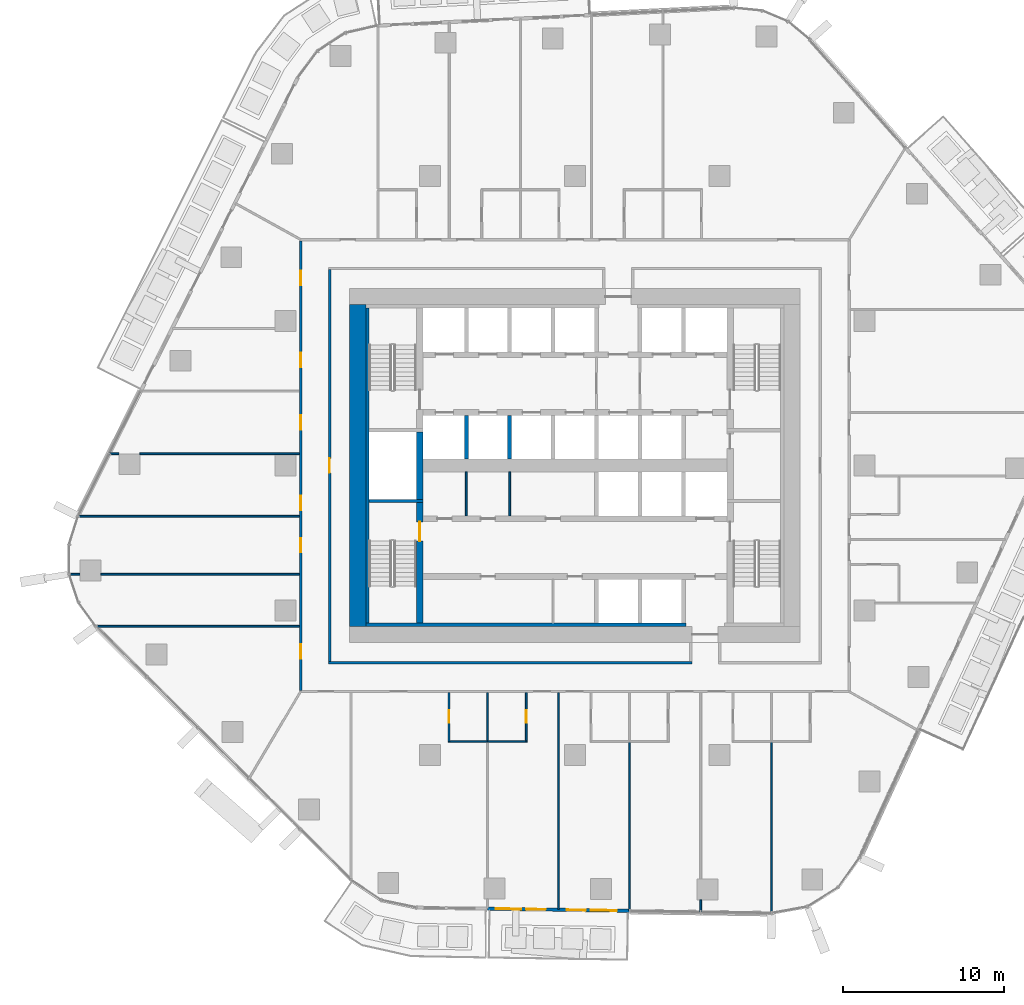
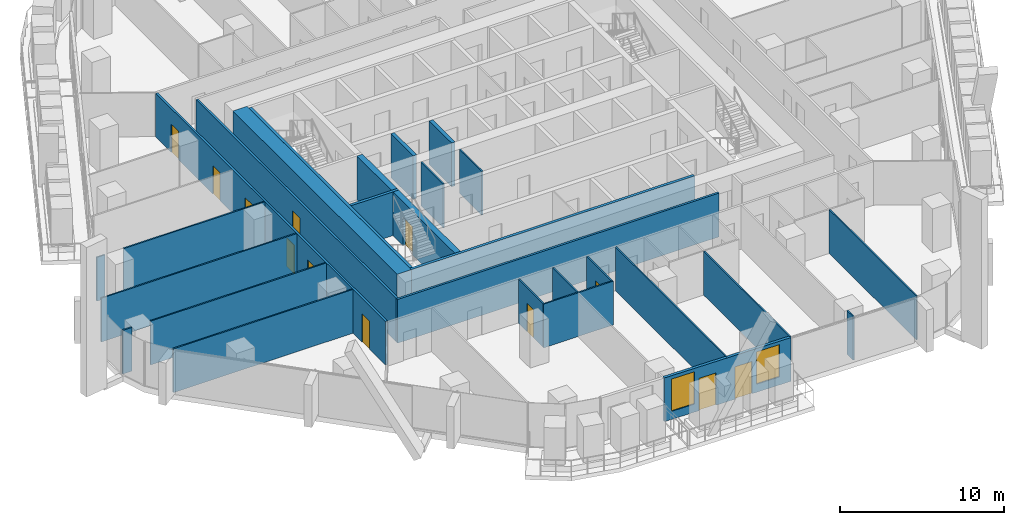
# One storey, part 13 of 26: 28 walls, 12 doors, 2 windows, 14 openings.
"""IFC4 building model written with IfcOpenShell, lengths in metres."""

from ifc_helpers import new_model, si_unit, direction, frame, frame_2d, origin, place, context, subcontext, project, spatial, rectangle, extrude, material, layer, layer_set, type_object, element, fill, save


model = new_model("IFC4")

# Units and contexts
model_context = context("Model", 3, precision=1e-05, world=origin(), true_north=direction((0.0, 1.0)))
body_context = subcontext(model_context, "Body", "Model", "MODEL_VIEW")
ifc_project = project(units=[si_unit("LENGTHUNIT", "METRE"), si_unit("AREAUNIT", "SQUARE_METRE"), si_unit("VOLUMEUNIT", "CUBIC_METRE"), si_unit("PLANEANGLEUNIT", "RADIAN"), si_unit("MASSUNIT", "GRAM", prefix="KILO")], contexts=[model_context])

# Site, building, storey
site_placement = place(None, origin())
site = spatial("IfcSite", under=ifc_project, at=site_placement, CompositionType="ELEMENT")
building_placement = place(site_placement, origin())
building = spatial("IfcBuilding", under=site, at=building_placement, Name="Dongbaek Canopy Tower", CompositionType="ELEMENT")
storey_placement = place(building_placement, frame((0.0, 0.0, 95.199951171875)))
storey = spatial("IfcBuildingStorey", under=building, at=storey_placement, Name="L19", CompositionType="ELEMENT", Elevation=95.199951171875)

# Walls
ifc_material_1 = material(Name="Concrete C60/75", Category="concrete")
ifc_layer_1 = layer(ifc_material_1, 1.0)
ifc_layer_set_1 = layer_set([ifc_layer_1], Name="Core outer wall 1000 Concrete C60/75")
wall_type_1 = type_object("IfcWallType", Name="Core outer wall 1000 Concrete C60/75", PredefinedType="SHEAR", material=ifc_layer_set_1)
wall_1_placement = place(storey_placement, frame((-13.5, -10.0, 0.0), z_axis=(0.0, 0.0, 1.0), x_axis=(0.0, 1.0, 0.0)))
element("IfcWall", 1, at=wall_1_placement, inside=storey, type_object=wall_type_1, Name="Core wall", PredefinedType="SHEAR", context=body_context, shape_type="SweptSolid", body=[
    extrude(rectangle(XDim=20.0, YDim=1.0, at=frame_2d((10.0, 0.0))), origin(), (0.0, 0.0, 1.0), 3.25),
])
ifc_material_2 = material(Name="Concrete C60/75", Category="concrete")
ifc_layer_2 = layer(ifc_material_2, 0.199951171875)
ifc_layer_set_2 = layer_set([ifc_layer_2], Name="Core wall lining 200 Concrete C60/75")
wall_type_2 = type_object("IfcWallType", Name="Core wall lining 200 Concrete C60/75", PredefinedType="SHEAR", material=ifc_layer_set_2)
wall_2_placement = place(storey_placement, frame((6.89990234375, -9.89990234375, 0.0), z_axis=(0.0, 0.0, 1.0), x_axis=(-1.0, 0.0, 0.0)))
element("IfcWall", 2, at=wall_2_placement, inside=storey, type_object=wall_type_2, Name="Core wall lining", PredefinedType="SHEAR", context=body_context, shape_type="SweptSolid", body=[
    extrude(rectangle(XDim=19.89990234375, YDim=0.199951171875, at=frame_2d((9.949951171875, 0.0))), origin(), (0.0, 0.0, 1.0), 3.25),
])
wall_3_placement = place(storey_placement, frame((-12.89990234375, -9.800048828125, 0.0), z_axis=(0.0, 0.0, 1.0), x_axis=(0.0, 1.0, 0.0)))
element("IfcWall", 3, at=wall_3_placement, inside=storey, type_object=wall_type_2, Name="Core wall lining", PredefinedType="SHEAR", context=body_context, shape_type="SweptSolid", body=[
    extrude(rectangle(XDim=19.60009765625, YDim=0.199951171875, at=frame_2d((9.800048828125, 0.0))), origin(), (0.0, 0.0, 1.0), 3.25),
])
ifc_material_3 = material(Name="Gypsum board partition, steel stud, 2 x 15 mm fire board", Category="steel")
ifc_layer_3 = layer(ifc_material_3, 0.14990234375)
ifc_layer_set_3 = layer_set([ifc_layer_3], Name="Fire-rated partition 150 gypsum board")
wall_type_3 = type_object("IfcWallType", Name="Fire-rated partition 150 gypsum board", PredefinedType="PARTITIONING", material=ifc_layer_set_3)
wall_4_placement = place(storey_placement, frame((-15.324951171875, -12.25, 0.0), z_axis=(0.0, 0.0, 1.0), x_axis=(1.0, 0.0, 0.0)))
element("IfcWall", 4, at=wall_4_placement, inside=storey, type_object=wall_type_3, Name="Corridor partition", PredefinedType="PARTITIONING", context=body_context, shape_type="SweptSolid", body=[
    extrude(rectangle(XDim=22.599853515625, YDim=0.14990234375, at=frame_2d((11.2998046875, 0.0))), origin(), (0.0, 0.0, 1.0), 3.25),
])

# Wall, opening, door
wall_5_placement = place(storey_placement, frame((-15.25, 12.175048828125, 0.0), z_axis=(0.0, 0.0, 1.0), x_axis=(0.0, -1.0, 0.0)))
wall_5 = element("IfcWall", 5, at=wall_5_placement, inside=storey, type_object=wall_type_3, Name="Corridor partition", PredefinedType="PARTITIONING", context=body_context, shape_type="SweptSolid", body=[
    extrude(rectangle(XDim=24.35009765625, YDim=0.14990234375, at=frame_2d((12.175048828125, 0.0))), origin(), (0.0, 0.0, 1.0), 3.25),
])
opening_1_placement = place(wall_5_placement, frame((11.72509765625, 0.0, 0.0)))
opening_1 = element("IfcOpeningElement", 6, at=opening_1_placement, cuts=wall_5, Name="Opening L19-D039", PredefinedType="OPENING", context=body_context, shape_type="SweptSolid", body=[
    extrude(rectangle(XDim=0.89990234375, YDim=2.10009765625, at=frame_2d((0.449951171875, 1.050048828125))), frame((0.0, 0.0849609375, 0.0), z_axis=(0.0, -1.0, 0.0), x_axis=(1.0, 0.0, 0.0)), (0.0, 0.0, 1.0), 0.169921875),
])
ifc_material_4 = material(Name="Timber veneered door leaf", Category="wood")
door_type_1 = type_object("IfcDoorType", Name="Room door 900 x 2100", OperationType="SINGLE_SWING_LEFT", PredefinedType="DOOR", material=ifc_material_4)
door_1_placement = place(opening_1_placement, origin())
door_1 = element("IfcDoor", 7, at=door_1_placement, inside=storey, type_object=door_type_1, Name="Door L19-D039", OperationType="SINGLE_SWING_RIGHT", OverallHeight=2.10009765625, OverallWidth=0.89990234375, PredefinedType="DOOR", context=body_context, shape_type="SweptSolid", body=[
    extrude(rectangle(XDim=0.89990234375, YDim=2.10009765625, at=frame_2d((0.449951171875, 1.050048828125))), frame((0.0, 0.02490234375, 0.0), z_axis=(0.0, -1.0, 0.0), x_axis=(1.0, 0.0, 0.0)), (0.0, 0.0, 1.0), 0.050048828125),
])
fill(opening_1, door_1)

# Wall, openings, doors
wall_6_placement = place(storey_placement, frame((-17.050048828125, -13.97509765625, 0.0), z_axis=(0.0, 0.0, 1.0), x_axis=(0.0, 1.0, 0.0)))
wall_6 = element("IfcWall", 8, at=wall_6_placement, inside=storey, type_object=wall_type_3, Name="Corridor partition", PredefinedType="PARTITIONING", context=body_context, shape_type="SweptSolid", body=[
    extrude(rectangle(XDim=27.9501953125, YDim=0.14990234375, at=frame_2d((13.97509765625, 0.0))), origin(), (0.0, 0.0, 1.0), 3.25),
])
opening_2_placement = place(wall_6_placement, frame((11.194580078125, 0.0, 0.0)))
opening_2 = element("IfcOpeningElement", 9, at=opening_2_placement, cuts=wall_6, Name="Opening L19-D001", PredefinedType="OPENING", context=body_context, shape_type="SweptSolid", body=[
    extrude(rectangle(XDim=0.89990234375, YDim=2.10009765625, at=frame_2d((0.449951171875, 1.050048828125))), frame((0.0, 0.0849609375, 0.0), z_axis=(0.0, -1.0, 0.0), x_axis=(1.0, 0.0, 0.0)), (0.0, 0.0, 1.0), 0.169921875),
])
opening_3_placement = place(wall_6_placement, frame((8.56982421875, 0.0, 0.0)))
opening_3 = element("IfcOpeningElement", 10, at=opening_3_placement, cuts=wall_6, Name="Opening L19-D002", PredefinedType="OPENING", context=body_context, shape_type="SweptSolid", body=[
    extrude(rectangle(XDim=0.89990234375, YDim=2.10009765625, at=frame_2d((0.449951171875, 1.050048828125))), frame((0.0, 0.0849609375, 0.0), z_axis=(0.0, -1.0, 0.0), x_axis=(1.0, 0.0, 0.0)), (0.0, 0.0, 1.0), 0.169921875),
])
opening_4_placement = place(wall_6_placement, frame((1.9560546875, 0.0, 0.0)))
opening_4 = element("IfcOpeningElement", 11, at=opening_4_placement, cuts=wall_6, Name="Opening L19-D003", PredefinedType="OPENING", context=body_context, shape_type="SweptSolid", body=[
    extrude(rectangle(XDim=0.89990234375, YDim=2.10009765625, at=frame_2d((0.449951171875, 1.050048828125))), frame((0.0, 0.0849609375, 0.0), z_axis=(0.0, -1.0, 0.0), x_axis=(1.0, 0.0, 0.0)), (0.0, 0.0, 1.0), 0.169921875),
])
opening_5_placement = place(wall_6_placement, frame((25.180908203125, 0.0, 0.0)))
opening_5 = element("IfcOpeningElement", 12, at=opening_5_placement, cuts=wall_6, Name="Opening L19-D036", PredefinedType="OPENING", context=body_context, shape_type="SweptSolid", body=[
    extrude(rectangle(XDim=0.89990234375, YDim=2.10009765625, at=frame_2d((0.449951171875, 1.050048828125))), frame((0.0, 0.0849609375, 0.0), z_axis=(0.0, -1.0, 0.0), x_axis=(1.0, 0.0, 0.0)), (0.0, 0.0, 1.0), 0.169921875),
])
opening_6_placement = place(wall_6_placement, frame((20.100830078125, 0.0, 0.0)))
opening_6 = element("IfcOpeningElement", 13, at=opening_6_placement, cuts=wall_6, Name="Opening L19-D037", PredefinedType="OPENING", context=body_context, shape_type="SweptSolid", body=[
    extrude(rectangle(XDim=0.89990234375, YDim=2.10009765625, at=frame_2d((0.449951171875, 1.050048828125))), frame((0.0, 0.0849609375, 0.0), z_axis=(0.0, -1.0, 0.0), x_axis=(1.0, 0.0, 0.0)), (0.0, 0.0, 1.0), 0.169921875),
])
opening_7_placement = place(wall_6_placement, frame((16.205810546875, 0.0, 0.0)))
opening_7 = element("IfcOpeningElement", 14, at=opening_7_placement, cuts=wall_6, Name="Opening L19-D038", PredefinedType="OPENING", context=body_context, shape_type="SweptSolid", body=[
    extrude(rectangle(XDim=0.89990234375, YDim=2.10009765625, at=frame_2d((0.449951171875, 1.050048828125))), frame((0.0, 0.0849609375, 0.0), z_axis=(0.0, -1.0, 0.0), x_axis=(1.0, 0.0, 0.0)), (0.0, 0.0, 1.0), 0.169921875),
])
door_2_placement = place(opening_2_placement, origin())
door_2 = element("IfcDoor", 15, at=door_2_placement, inside=storey, type_object=door_type_1, Name="Door L19-D001", OperationType="SINGLE_SWING_RIGHT", OverallHeight=2.10009765625, OverallWidth=0.89990234375, PredefinedType="DOOR", context=body_context, shape_type="SweptSolid", body=[
    extrude(rectangle(XDim=0.89990234375, YDim=2.10009765625, at=frame_2d((0.449951171875, 1.050048828125))), frame((0.0, 0.02490234375, 0.0), z_axis=(0.0, -1.0, 0.0), x_axis=(1.0, 0.0, 0.0)), (0.0, 0.0, 1.0), 0.050048828125),
])
fill(opening_2, door_2)
door_3_placement = place(opening_3_placement, origin())
door_3 = element("IfcDoor", 16, at=door_3_placement, inside=storey, type_object=door_type_1, Name="Door L19-D002", OperationType="SINGLE_SWING_LEFT", OverallHeight=2.10009765625, OverallWidth=0.89990234375, PredefinedType="DOOR", context=body_context, shape_type="SweptSolid", body=[
    extrude(rectangle(XDim=0.89990234375, YDim=2.10009765625, at=frame_2d((0.449951171875, 1.050048828125))), frame((0.0, 0.02490234375, 0.0), z_axis=(0.0, -1.0, 0.0), x_axis=(1.0, 0.0, 0.0)), (0.0, 0.0, 1.0), 0.050048828125),
])
fill(opening_3, door_3)
door_4_placement = place(opening_4_placement, origin())
door_4 = element("IfcDoor", 17, at=door_4_placement, inside=storey, type_object=door_type_1, Name="Door L19-D003", OperationType="SINGLE_SWING_LEFT", OverallHeight=2.10009765625, OverallWidth=0.89990234375, PredefinedType="DOOR", context=body_context, shape_type="SweptSolid", body=[
    extrude(rectangle(XDim=0.89990234375, YDim=2.10009765625, at=frame_2d((0.449951171875, 1.050048828125))), frame((0.0, 0.02490234375, 0.0), z_axis=(0.0, -1.0, 0.0), x_axis=(1.0, 0.0, 0.0)), (0.0, 0.0, 1.0), 0.050048828125),
])
fill(opening_4, door_4)
door_5_placement = place(opening_5_placement, origin())
door_5 = element("IfcDoor", 18, at=door_5_placement, inside=storey, type_object=door_type_1, Name="Door L19-D036", OperationType="SINGLE_SWING_LEFT", OverallHeight=2.10009765625, OverallWidth=0.89990234375, PredefinedType="DOOR", context=body_context, shape_type="SweptSolid", body=[
    extrude(rectangle(XDim=0.89990234375, YDim=2.10009765625, at=frame_2d((0.449951171875, 1.050048828125))), frame((0.0, 0.02490234375, 0.0), z_axis=(0.0, -1.0, 0.0), x_axis=(1.0, 0.0, 0.0)), (0.0, 0.0, 1.0), 0.050048828125),
])
fill(opening_5, door_5)
door_6_placement = place(opening_6_placement, origin())
door_6 = element("IfcDoor", 19, at=door_6_placement, inside=storey, type_object=door_type_1, Name="Door L19-D037", OperationType="SINGLE_SWING_RIGHT", OverallHeight=2.10009765625, OverallWidth=0.89990234375, PredefinedType="DOOR", context=body_context, shape_type="SweptSolid", body=[
    extrude(rectangle(XDim=0.89990234375, YDim=2.10009765625, at=frame_2d((0.449951171875, 1.050048828125))), frame((0.0, 0.02490234375, 0.0), z_axis=(0.0, -1.0, 0.0), x_axis=(1.0, 0.0, 0.0)), (0.0, 0.0, 1.0), 0.050048828125),
])
fill(opening_6, door_6)
door_7_placement = place(opening_7_placement, origin())
door_7 = element("IfcDoor", 20, at=door_7_placement, inside=storey, type_object=door_type_1, Name="Door L19-D038", OperationType="SINGLE_SWING_LEFT", OverallHeight=2.10009765625, OverallWidth=0.89990234375, PredefinedType="DOOR", context=body_context, shape_type="SweptSolid", body=[
    extrude(rectangle(XDim=0.89990234375, YDim=2.10009765625, at=frame_2d((0.449951171875, 1.050048828125))), frame((0.0, 0.02490234375, 0.0), z_axis=(0.0, -1.0, 0.0), x_axis=(1.0, 0.0, 0.0)), (0.0, 0.0, 1.0), 0.050048828125),
])
fill(opening_7, door_7)

# Walls
ifc_material_5 = material(Name="Concrete C40/50", Category="concrete")
ifc_layer_4 = layer(ifc_material_5, 0.25)
ifc_layer_set_4 = layer_set([ifc_layer_4], Name="Lift shaft wall 250 Concrete C40/50")
wall_type_4 = type_object("IfcWallType", Name="Lift shaft wall 250 Concrete C40/50", PredefinedType="SOLIDWALL", material=ifc_layer_set_4)
for number, where, z_axis, x_axis, name in (
    (21, (-4.050048828125, 0.39990234375, 0.0), (0.0, 0.0, 1.0), (0.0, 1.0, 0.0), "Lift shaft wall"),
    (22, (-6.75, 0.39990234375, 0.0), (0.0, 0.0, 1.0), (0.0, 1.0, 0.0), "Lift shaft wall"),
):
    element("IfcWall", number, at=place(storey_placement, frame(where, z_axis=z_axis, x_axis=x_axis)), inside=storey, type_object=wall_type_4, Name=name, PredefinedType="SOLIDWALL", context=body_context, shape_type="SweptSolid", body=[
        extrude(rectangle(XDim=2.72509765625, YDim=0.25, at=frame_2d((1.362548828125, 0.0))), origin(), (0.0, 0.0, 1.0), 3.25),
    ])
ifc_material_6 = material(Name="Gypsum board partition, steel stud, 2 x 12.5 mm board", Category="steel")
ifc_layer_5 = layer(ifc_material_6, 0.10009765625)
ifc_layer_set_5 = layer_set([ifc_layer_5], Name="Partition 100 gypsum board")
wall_type_5 = type_object("IfcWallType", Name="Partition 100 gypsum board", PredefinedType="PARTITIONING", material=ifc_layer_set_5)
wall_7_placement = place(storey_placement, frame((-7.873779296875, -17.14990234375, 0.0), z_axis=(0.0, 0.0, 1.0), x_axis=(1.0, 0.0, 0.0)))
element("IfcWall", 23, at=wall_7_placement, inside=storey, type_object=wall_type_5, Name="Partition", PredefinedType="PARTITIONING", context=body_context, shape_type="SweptSolid", body=[
    extrude(rectangle(XDim=4.900146484375, YDim=0.10009765625, at=frame_2d((2.4501953125, 0.0))), origin(), (0.0, 0.0, 1.0), 3.25),
])
wall_8_placement = place(storey_placement, frame((-29.74169921875, -9.993896484375, 0.0), z_axis=(0.0, 0.0, 1.0), x_axis=(1.0, 0.0, 0.0)))
element("IfcWall", 24, at=wall_8_placement, inside=storey, type_object=wall_type_5, Name="Partition", PredefinedType="PARTITIONING", context=body_context, shape_type="SweptSolid", body=[
    extrude(rectangle(XDim=12.61669921875, YDim=0.10009765625, at=frame_2d((6.308349609375, 0.0))), origin(), (0.0, 0.0, 1.0), 3.25),
])
wall_9_placement = place(storey_placement, frame((-31.416259765625, -6.7548828125, 0.0), z_axis=(0.0, 0.0, 1.0), x_axis=(1.0, 0.0, 0.0)))
element("IfcWall", 25, at=wall_9_placement, inside=storey, type_object=wall_type_5, Name="Partition", PredefinedType="PARTITIONING", context=body_context, shape_type="SweptSolid", body=[
    extrude(rectangle(XDim=0.641357421875, YDim=0.10009765625, at=frame_2d((0.32080078125, 0.0))), origin(), (0.0, 0.0, 1.0), 3.25),
])
wall_10_placement = place(storey_placement, frame((-29.47509765625, -6.7548828125, 0.0), z_axis=(0.0, 0.0, 1.0), x_axis=(1.0, 0.0, 0.0)))
element("IfcWall", 26, at=wall_10_placement, inside=storey, type_object=wall_type_5, Name="Partition", PredefinedType="PARTITIONING", context=body_context, shape_type="SweptSolid", body=[
    extrude(rectangle(XDim=12.35009765625, YDim=0.10009765625, at=frame_2d((6.175048828125, 0.0))), origin(), (0.0, 0.0, 1.0), 3.25),
])
wall_11_placement = place(storey_placement, frame((-30.86474609375, -3.155029296875, 0.0), z_axis=(0.0, 0.0, 1.0), x_axis=(1.0, 0.0, 0.0)))
element("IfcWall", 27, at=wall_11_placement, inside=storey, type_object=wall_type_5, Name="Partition", PredefinedType="PARTITIONING", context=body_context, shape_type="SweptSolid", body=[
    extrude(rectangle(XDim=13.73974609375, YDim=0.10009765625, at=frame_2d((6.869873046875, 0.0))), origin(), (0.0, 0.0, 1.0), 3.25),
])
wall_12_placement = place(storey_placement, frame((-28.91650390625, 0.73291015625, 0.0), z_axis=(0.0, 0.0, 1.0), x_axis=(1.0, 0.0, 0.0)))
element("IfcWall", 28, at=wall_12_placement, inside=storey, type_object=wall_type_5, Name="Partition", PredefinedType="PARTITIONING", context=body_context, shape_type="SweptSolid", body=[
    extrude(rectangle(XDim=0.573486328125, YDim=0.10009765625, at=frame_2d((0.28662109375, 0.0))), origin(), (0.0, 0.0, 1.0), 3.25),
])
wall_13_placement = place(storey_placement, frame((-27.04296875, 0.73291015625, 0.0), z_axis=(0.0, 0.0, 1.0), x_axis=(1.0, 0.0, 0.0)))
element("IfcWall", 29, at=wall_13_placement, inside=storey, type_object=wall_type_5, Name="Partition", PredefinedType="PARTITIONING", context=body_context, shape_type="SweptSolid", body=[
    extrude(rectangle(XDim=9.91796875, YDim=0.10009765625, at=frame_2d((4.958984375, 0.0))), origin(), (0.0, 0.0, 1.0), 3.25),
])
wall_14_placement = place(storey_placement, frame((12.23388671875, -27.80078125, 0.0), z_axis=(0.0, 0.0, 1.0), x_axis=(0.0, 1.0, 0.0)))
element("IfcWall", 30, at=wall_14_placement, inside=storey, type_object=wall_type_5, Name="Partition", PredefinedType="PARTITIONING", context=body_context, shape_type="SweptSolid", body=[
    extrude(rectangle(XDim=10.600830078125, YDim=0.10009765625, at=frame_2d((5.30029296875, 0.0))), origin(), (0.0, 0.0, 1.0), 3.25),
])
wall_15_placement = place(storey_placement, frame((7.826904296875, -27.733154296875, 0.0), z_axis=(0.0, 0.0, 1.0), x_axis=(0.0, 1.0, 0.0)))
element("IfcWall", 31, at=wall_15_placement, inside=storey, type_object=wall_type_5, Name="Partition", PredefinedType="PARTITIONING", context=body_context, shape_type="SweptSolid", body=[
    extrude(rectangle(XDim=0.734130859375, YDim=0.10009765625, at=frame_2d((0.3671875, 0.0))), origin(), (0.0, 0.0, 1.0), 3.25),
])
wall_16_placement = place(storey_placement, frame((3.409912109375, -27.6650390625, 0.0), z_axis=(0.0, 0.0, 1.0), x_axis=(0.0, 1.0, 0.0)))
element("IfcWall", 32, at=wall_16_placement, inside=storey, type_object=wall_type_5, Name="Partition", PredefinedType="PARTITIONING", context=body_context, shape_type="SweptSolid", body=[
    extrude(rectangle(XDim=10.465087890625, YDim=0.10009765625, at=frame_2d((5.232421875, 0.0))), origin(), (0.0, 0.0, 1.0), 3.25),
])
wall_17_placement = place(storey_placement, frame((-1.007080078125, -27.596923828125, 0.0), z_axis=(0.0, 0.0, 1.0), x_axis=(0.0, 1.0, 0.0)))
element("IfcWall", 33, at=wall_17_placement, inside=storey, type_object=wall_type_5, Name="Partition", PredefinedType="PARTITIONING", context=body_context, shape_type="SweptSolid", body=[
    extrude(rectangle(XDim=13.471923828125, YDim=0.10009765625, at=frame_2d((6.73583984375, 0.0))), origin(), (0.0, 0.0, 1.0), 3.25),
])

# Wall, opening, door
wall_18_placement = place(storey_placement, frame((-3.02392578125, -17.10009765625, 0.0), z_axis=(0.0, 0.0, 1.0), x_axis=(0.0, 1.0, 0.0)))
wall_18 = element("IfcWall", 34, at=wall_18_placement, inside=storey, type_object=wall_type_5, Name="Partition", PredefinedType="PARTITIONING", context=body_context, shape_type="SweptSolid", body=[
    extrude(rectangle(XDim=2.97509765625, YDim=0.10009765625, at=frame_2d((1.487548828125, 0.0))), origin(), (0.0, 0.0, 1.0), 3.25),
])
opening_8_placement = place(wall_18_placement, frame((1.10009765625, 0.0, 0.0)))
opening_8 = element("IfcOpeningElement", 35, at=opening_8_placement, cuts=wall_18, Name="Opening L19-D007", PredefinedType="OPENING", context=body_context, shape_type="SweptSolid", body=[
    extrude(rectangle(XDim=0.800048828125, YDim=2.10009765625, at=frame_2d((0.39990234375, 1.050048828125))), frame((0.0, 0.06005859375, 0.0), z_axis=(0.0, -1.0, 0.0), x_axis=(1.0, 0.0, 0.0)), (0.0, 0.0, 1.0), 0.1201171875),
])
ifc_material_7 = material(Name="Timber veneered door leaf", Category="wood")
door_type_2 = type_object("IfcDoorType", Name="En-suite door 800 x 2100", OperationType="SINGLE_SWING_LEFT", PredefinedType="DOOR", material=ifc_material_7)
door_8_placement = place(opening_8_placement, origin())
door_8 = element("IfcDoor", 36, at=door_8_placement, inside=storey, type_object=door_type_2, Name="Door L19-D007", OperationType="SINGLE_SWING_LEFT", OverallHeight=2.10009765625, OverallWidth=0.800048828125, PredefinedType="DOOR", context=body_context, shape_type="SweptSolid", body=[
    extrude(rectangle(XDim=0.800048828125, YDim=2.10009765625, at=frame_2d((0.39990234375, 1.050048828125))), frame((0.0, 0.02490234375, 0.0), z_axis=(0.0, -1.0, 0.0), x_axis=(1.0, 0.0, 0.0)), (0.0, 0.0, 1.0), 0.050048828125),
])
fill(opening_8, door_8)

# Wall
wall_19_placement = place(storey_placement, frame((-5.424072265625, -17.10009765625, 0.0), z_axis=(0.0, 0.0, 1.0), x_axis=(0.0, 1.0, 0.0)))
element("IfcWall", 37, at=wall_19_placement, inside=storey, type_object=wall_type_5, Name="Partition", PredefinedType="PARTITIONING", context=body_context, shape_type="SweptSolid", body=[
    extrude(rectangle(XDim=2.97509765625, YDim=0.10009765625, at=frame_2d((1.487548828125, 0.0))), origin(), (0.0, 0.0, 1.0), 3.25),
])

# Wall, opening, door
wall_20_placement = place(storey_placement, frame((-7.823974609375, -14.125, 0.0), z_axis=(0.0, 0.0, 1.0), x_axis=(0.0, -1.0, 0.0)))
wall_20 = element("IfcWall", 38, at=wall_20_placement, inside=storey, type_object=wall_type_5, Name="Partition", PredefinedType="PARTITIONING", context=body_context, shape_type="SweptSolid", body=[
    extrude(rectangle(XDim=3.02490234375, YDim=0.10009765625, at=frame_2d((1.512451171875, 0.0))), origin(), (0.0, 0.0, 1.0), 3.25),
])
opening_9_placement = place(wall_20_placement, frame((1.074951171875, 0.0, 0.0)))
opening_9 = element("IfcOpeningElement", 39, at=opening_9_placement, cuts=wall_20, Name="Opening L19-D005", PredefinedType="OPENING", context=body_context, shape_type="SweptSolid", body=[
    extrude(rectangle(XDim=0.800048828125, YDim=2.10009765625, at=frame_2d((0.39990234375, 1.050048828125))), frame((0.0, 0.06005859375, 0.0), z_axis=(0.0, -1.0, 0.0), x_axis=(1.0, 0.0, 0.0)), (0.0, 0.0, 1.0), 0.1201171875),
])
door_9_placement = place(opening_9_placement, origin())
door_9 = element("IfcDoor", 40, at=door_9_placement, inside=storey, type_object=door_type_2, Name="Door L19-D005", OperationType="SINGLE_SWING_RIGHT", OverallHeight=2.10009765625, OverallWidth=0.800048828125, PredefinedType="DOOR", context=body_context, shape_type="SweptSolid", body=[
    extrude(rectangle(XDim=0.800048828125, YDim=2.10009765625, at=frame_2d((0.39990234375, 1.050048828125))), frame((0.0, 0.02490234375, 0.0), z_axis=(0.0, -1.0, 0.0), x_axis=(1.0, 0.0, 0.0)), (0.0, 0.0, 1.0), 0.050048828125),
])
fill(opening_9, door_9)

# Walls
for number, where, z_axis, x_axis, name in (
    (41, (-4.050048828125, -3.125, 0.0), (0.0, 0.0, 1.0), (0.0, 1.0, 0.0), "Core partition"),
    (42, (-6.75, -3.125, 0.0), (0.0, 0.0, 1.0), (0.0, 1.0, 0.0), "Core partition"),
):
    element("IfcWall", number, at=place(storey_placement, frame(where, z_axis=z_axis, x_axis=x_axis)), inside=storey, type_object=wall_type_5, Name=name, PredefinedType="PARTITIONING", context=body_context, shape_type="SweptSolid", body=[
        extrude(rectangle(XDim=2.72509765625, YDim=0.10009765625, at=frame_2d((1.362548828125, 0.0))), origin(), (0.0, 0.0, 1.0), 3.25),
    ])
ifc_material_8 = material(Name="Concrete C60/75", Category="concrete")
ifc_layer_6 = layer(ifc_material_8, 0.199951171875)
ifc_layer_set_6 = layer_set([ifc_layer_6], Name="Riser wall 200 Concrete C60/75")
wall_type_6 = type_object("IfcWallType", Name="Riser wall 200 Concrete C60/75", PredefinedType="SHEAR", material=ifc_layer_set_6)
wall_21_placement = place(storey_placement, frame((-9.449951171875, -2.199951171875, 0.0), z_axis=(0.0, 0.0, 1.0), x_axis=(-1.0, 0.0, 0.0)))
element("IfcWall", 43, at=wall_21_placement, inside=storey, type_object=wall_type_6, Name="Riser wall", PredefinedType="SHEAR", context=body_context, shape_type="SweptSolid", body=[
    extrude(rectangle(XDim=3.35009765625, YDim=0.199951171875, at=frame_2d((1.675048828125, 0.0))), origin(), (0.0, 0.0, 1.0), 3.25),
])

# Wall, opening, door
ifc_material_9 = material(Name="Concrete C60/75", Category="concrete")
ifc_layer_7 = layer(ifc_material_9, 0.39990234375)
ifc_layer_set_7 = layer_set([ifc_layer_7], Name="Stair wall 400 Concrete C60/75")
wall_type_7 = type_object("IfcWallType", Name="Stair wall 400 Concrete C60/75", PredefinedType="SHEAR", material=ifc_layer_set_7)
wall_22_placement = place(storey_placement, frame((-9.64990234375, -9.800048828125, 0.0), z_axis=(0.0, 0.0, 1.0), x_axis=(0.0, 1.0, 0.0)))
wall_22 = element("IfcWall", 44, at=wall_22_placement, inside=storey, type_object=wall_type_7, Name="Stair wall", PredefinedType="SHEAR", context=body_context, shape_type="SweptSolid", body=[
    extrude(rectangle(XDim=7.5, YDim=0.39990234375, at=frame_2d((3.75, 0.0))), origin(), (0.0, 0.0, 1.0), 3.25),
])
opening_10_placement = place(wall_22_placement, frame((5.10009765625, 0.0, 0.0)))
opening_10 = element("IfcOpeningElement", 45, at=opening_10_placement, cuts=wall_22, Name="Opening L19-D068", PredefinedType="OPENING", context=body_context, shape_type="SweptSolid", body=[
    extrude(rectangle(XDim=1.199951171875, YDim=2.10009765625, at=frame_2d((0.60009765625, 1.050048828125))), frame((0.0, 0.2099609375, 0.0), z_axis=(0.0, -1.0, 0.0), x_axis=(1.0, 0.0, 0.0)), (0.0, 0.0, 1.0), 0.419921875),
])
ifc_material_10 = material(Name="Steel", Category="steel")
door_type_3 = type_object("IfcDoorType", Name="Stair door 1200 x 2100", OperationType="SINGLE_SWING_LEFT", PredefinedType="DOOR", material=ifc_material_10)
door_10_placement = place(opening_10_placement, origin())
door_10 = element("IfcDoor", 46, at=door_10_placement, inside=storey, type_object=door_type_3, Name="Stair D door", OperationType="SINGLE_SWING_LEFT", OverallHeight=2.10009765625, OverallWidth=1.199951171875, PredefinedType="DOOR", context=body_context, shape_type="SweptSolid", body=[
    extrude(rectangle(XDim=1.199951171875, YDim=2.10009765625, at=frame_2d((0.60009765625, 1.050048828125))), frame((0.0, 0.02490234375, 0.0), z_axis=(0.0, -1.0, 0.0), x_axis=(1.0, 0.0, 0.0)), (0.0, 0.0, 1.0), 0.050048828125),
])
fill(opening_10, door_10)

# Wall
wall_23_placement = place(storey_placement, frame((-9.64990234375, -2.10009765625, 0.0), z_axis=(0.0, 0.0, 1.0), x_axis=(0.0, 1.0, 0.0)))
element("IfcWall", 47, at=wall_23_placement, inside=storey, type_object=wall_type_7, Name="Stair wall", PredefinedType="SHEAR", context=body_context, shape_type="SweptSolid", body=[
    extrude(rectangle(XDim=4.2001953125, YDim=0.39990234375, at=frame_2d((2.10009765625, 0.0))), origin(), (0.0, 0.0, 1.0), 3.25),
])

# Wall, openings, doors, windows
ifc_material_11 = material(Name="Aluminium window wall", Category="aluminium")
ifc_layer_8 = layer(ifc_material_11, 0.199951171875)
ifc_layer_set_8 = layer_set([ifc_layer_8], Name="Window wall 200")
wall_type_8 = type_object("IfcWallType", Name="Window wall 200", PredefinedType="SOLIDWALL", material=ifc_layer_set_8)
wall_24_placement = place(storey_placement, frame((-5.423583984375, -27.548828125, 0.0), z_axis=(0.0, 0.0, 1.0), x_axis=(0.999881101657, -0.015420199401, 0.0)))
wall_24 = element("IfcWall", 48, at=wall_24_placement, inside=storey, type_object=wall_type_8, Name="Window wall L19 4", PredefinedType="SOLIDWALL", context=body_context, shape_type="SweptSolid", body=[
    extrude(rectangle(XDim=8.83447265625, YDim=0.199951171875, at=frame_2d((4.417236328125, 0.0))), origin(), (0.0, 0.0, 1.0), 3.25),
])
opening_11_placement = place(wall_24_placement, frame((0.5, 0.0, 0.60009765625)))
opening_11 = element("IfcOpeningElement", 49, at=opening_11_placement, cuts=wall_24, Name="Opening W1", PredefinedType="OPENING", context=body_context, shape_type="SweptSolid", body=[
    extrude(rectangle(XDim=1.60009765625, YDim=2.39990234375, at=frame_2d((0.800048828125, 1.199951171875))), frame((0.0, 0.10986328125, 0.0), z_axis=(0.0, -1.0, 0.0), x_axis=(1.0, 0.0, 0.0)), (0.0, 0.0, 1.0), 0.219970703125),
])
opening_12_placement = place(wall_24_placement, frame((2.39990234375, 0.0, 0.0)))
opening_12 = element("IfcOpeningElement", 50, at=opening_12_placement, cuts=wall_24, Name="Opening L19-B12", PredefinedType="OPENING", context=body_context, shape_type="SweptSolid", body=[
    extrude(rectangle(XDim=1.199951171875, YDim=2.39990234375, at=frame_2d((0.60009765625, 1.199951171875))), frame((0.0, 0.10986328125, 0.0), z_axis=(0.0, -1.0, 0.0), x_axis=(1.0, 0.0, 0.0)), (0.0, 0.0, 1.0), 0.219970703125),
])
opening_13_placement = place(wall_24_placement, frame((6.417236328125, 0.0, 0.60009765625)))
opening_13 = element("IfcOpeningElement", 51, at=opening_13_placement, cuts=wall_24, Name="Opening W1", PredefinedType="OPENING", context=body_context, shape_type="SweptSolid", body=[
    extrude(rectangle(XDim=1.60009765625, YDim=2.39990234375, at=frame_2d((0.800048828125, 1.199951171875))), frame((0.0, 0.10986328125, 0.0), z_axis=(0.0, -1.0, 0.0), x_axis=(1.0, 0.0, 0.0)), (0.0, 0.0, 1.0), 0.219970703125),
])
opening_14_placement = place(wall_24_placement, frame((4.917236328125, 0.0, 0.0)))
opening_14 = element("IfcOpeningElement", 52, at=opening_14_placement, cuts=wall_24, Name="Opening L19-B13", PredefinedType="OPENING", context=body_context, shape_type="SweptSolid", body=[
    extrude(rectangle(XDim=1.199951171875, YDim=2.39990234375, at=frame_2d((0.60009765625, 1.199951171875))), frame((0.0, 0.10986328125, 0.0), z_axis=(0.0, -1.0, 0.0), x_axis=(1.0, 0.0, 0.0)), (0.0, 0.0, 1.0), 0.219970703125),
])
ifc_material_12 = material(Name="Clear glazing in aluminium frame", Category="aluminium")
door_type_4 = type_object("IfcDoorType", Name="Balcony door BD1 1200 x 2400", OperationType="SLIDING_TO_LEFT", PredefinedType="DOOR", material=ifc_material_12)
door_11_placement = place(opening_12_placement, origin())
door_11 = element("IfcDoor", 53, at=door_11_placement, inside=storey, type_object=door_type_4, Name="Balcony door L19-B12", OperationType="SLIDING_TO_LEFT", OverallHeight=2.39990234375, OverallWidth=1.199951171875, PredefinedType="DOOR", context=body_context, shape_type="SweptSolid", body=[
    extrude(rectangle(XDim=1.199951171875, YDim=2.39990234375, at=frame_2d((0.60009765625, 1.199951171875))), frame((0.0, 0.02490234375, 0.0), z_axis=(0.0, -1.0, 0.0), x_axis=(1.0, 0.0, 0.0)), (0.0, 0.0, 1.0), 0.050048828125),
])
fill(opening_12, door_11)
door_12_placement = place(opening_14_placement, origin())
door_12 = element("IfcDoor", 54, at=door_12_placement, inside=storey, type_object=door_type_4, Name="Balcony door L19-B13", OperationType="SLIDING_TO_LEFT", OverallHeight=2.39990234375, OverallWidth=1.199951171875, PredefinedType="DOOR", context=body_context, shape_type="SweptSolid", body=[
    extrude(rectangle(XDim=1.199951171875, YDim=2.39990234375, at=frame_2d((0.60009765625, 1.199951171875))), frame((0.0, 0.02490234375, 0.0), z_axis=(0.0, -1.0, 0.0), x_axis=(1.0, 0.0, 0.0)), (0.0, 0.0, 1.0), 0.050048828125),
])
fill(opening_14, door_12)
ifc_material_13 = material(Name="Clear glazing in aluminium frame", Category="aluminium")
window_type = type_object("IfcWindowType", Name="Window W1 1600 x 2400", PartitioningType="SINGLE_PANEL", PredefinedType="WINDOW", material=ifc_material_13)
window_1_placement = place(opening_11_placement, origin())
window_1 = element("IfcWindow", 55, at=window_1_placement, inside=storey, type_object=window_type, Name="Window L19 4.1", OverallHeight=2.39990234375, OverallWidth=1.60009765625, PartitioningType="SINGLE_PANEL", PredefinedType="WINDOW", context=body_context, shape_type="SweptSolid", body=[
    extrude(rectangle(XDim=1.60009765625, YDim=2.39990234375, at=frame_2d((0.800048828125, 1.199951171875))), frame((0.0, 0.030029296875, 0.0), z_axis=(0.0, -1.0, 0.0), x_axis=(1.0, 0.0, 0.0)), (0.0, 0.0, 1.0), 0.06005859375),
])
fill(opening_11, window_1)
window_2_placement = place(opening_13_placement, origin())
window_2 = element("IfcWindow", 56, at=window_2_placement, inside=storey, type_object=window_type, Name="Window L19 4.2", OverallHeight=2.39990234375, OverallWidth=1.60009765625, PartitioningType="SINGLE_PANEL", PredefinedType="WINDOW", context=body_context, shape_type="SweptSolid", body=[
    extrude(rectangle(XDim=1.60009765625, YDim=2.39990234375, at=frame_2d((0.800048828125, 1.199951171875))), frame((0.0, 0.030029296875, 0.0), z_axis=(0.0, -1.0, 0.0), x_axis=(1.0, 0.0, 0.0)), (0.0, 0.0, 1.0), 0.06005859375),
])
fill(opening_13, window_2)

save(model, "model.ifc")
